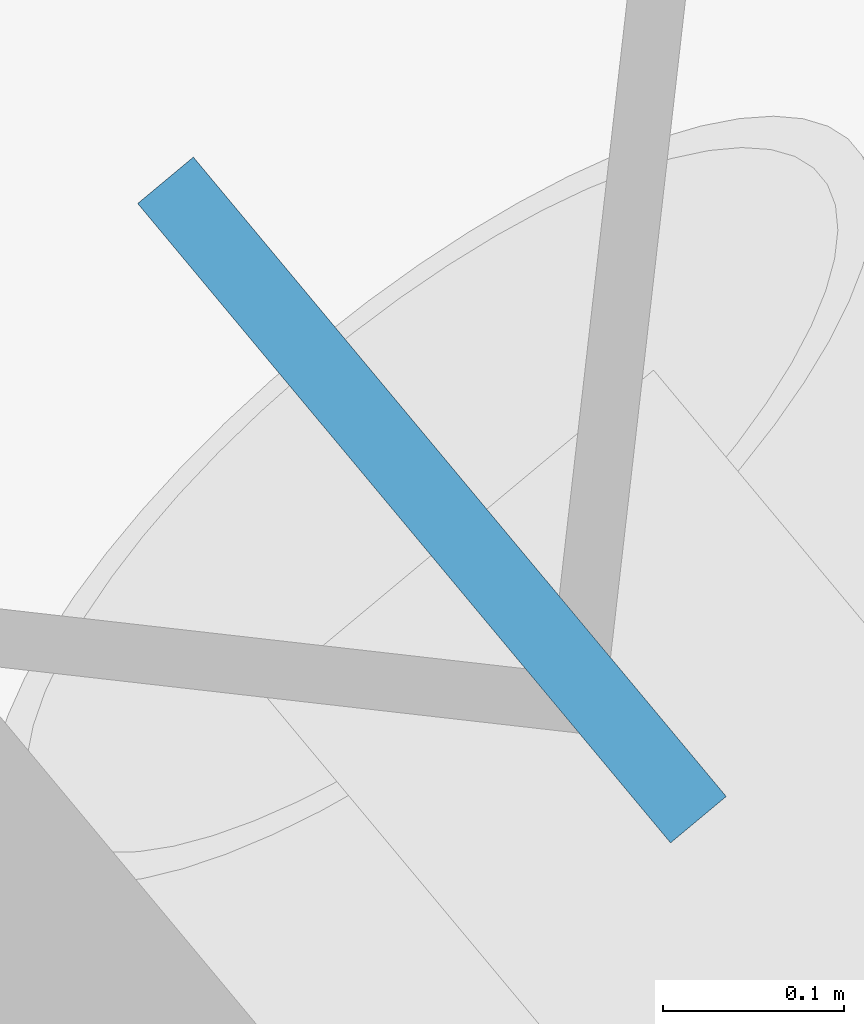
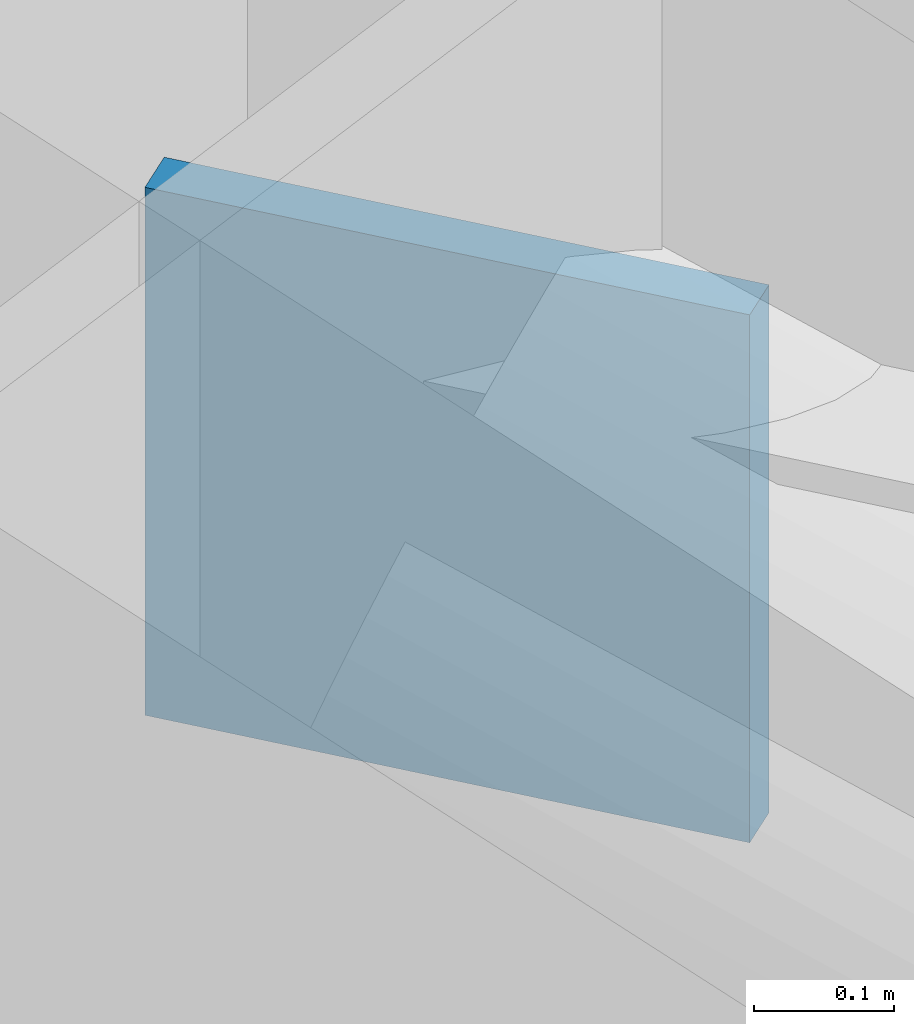
# One storey, part 18 of 19: 1 discrete accessory.
"""IFC4 building model written with IfcOpenShell, lengths in metres."""

from ifc_helpers import new_model, si_unit, direction, frame, origin, origin_2d, place, context, subcontext, project, spatial, rectangle, extrude, material, type_object, element, save


model = new_model("IFC4")

# Units and contexts
model_context = context("Model", 3, precision=1e-05, world=origin(), true_north=direction((0.0, 1.0)))
body_context = subcontext(model_context, "Body", "Model", "MODEL_VIEW")
ifc_project = project(units=[si_unit("LENGTHUNIT", "METRE"), si_unit("AREAUNIT", "SQUARE_METRE"), si_unit("VOLUMEUNIT", "CUBIC_METRE"), si_unit("PLANEANGLEUNIT", "RADIAN"), si_unit("MASSUNIT", "GRAM", prefix="KILO")], contexts=[model_context])

# Site, building, storey
site_placement = place(None, origin())
site = spatial("IfcSite", under=ifc_project, at=site_placement, CompositionType="ELEMENT")
building_placement = place(site_placement, origin())
building = spatial("IfcBuilding", under=site, at=building_placement, Name="Tavrogorsk Clinical Tower", CompositionType="ELEMENT")
storey_placement = place(building_placement, frame((0.0, 0.0, 97.39990234375)))
storey = spatial("IfcBuildingStorey", under=building, at=storey_placement, Name="L21", CompositionType="ELEMENT", Elevation=97.39990234375)

# Discrete accessory
ifc_material = material(Name="Structural steel S440", Category="steel")
discrete_accessory_type = type_object("IfcDiscreteAccessoryType", Name="GussetPlateBracket_25", PredefinedType="BRACKET", material=ifc_material)
discrete_accessory_placement = place(storey_placement, frame((37.2109375, 18.06640625, 2.68310546875), z_axis=(0.0, 0.0, 1.0), x_axis=(-0.640243780506, 0.768171791674, 0.0)))
element("IfcDiscreteAccessory", 1, at=discrete_accessory_placement, inside=storey, type_object=discrete_accessory_type, Name="L21 Brace Gusset Plate EXOCRN-L21-2-B", PredefinedType="BRACKET", context=body_context, shape_type="SweptSolid", body=[
    extrude(rectangle(XDim=0.4599609375, YDim=0.0400390625, at=origin_2d()), origin(), (0.0, 0.0, 1.0), 0.4599609375),
])

save(model, "model.ifc")
